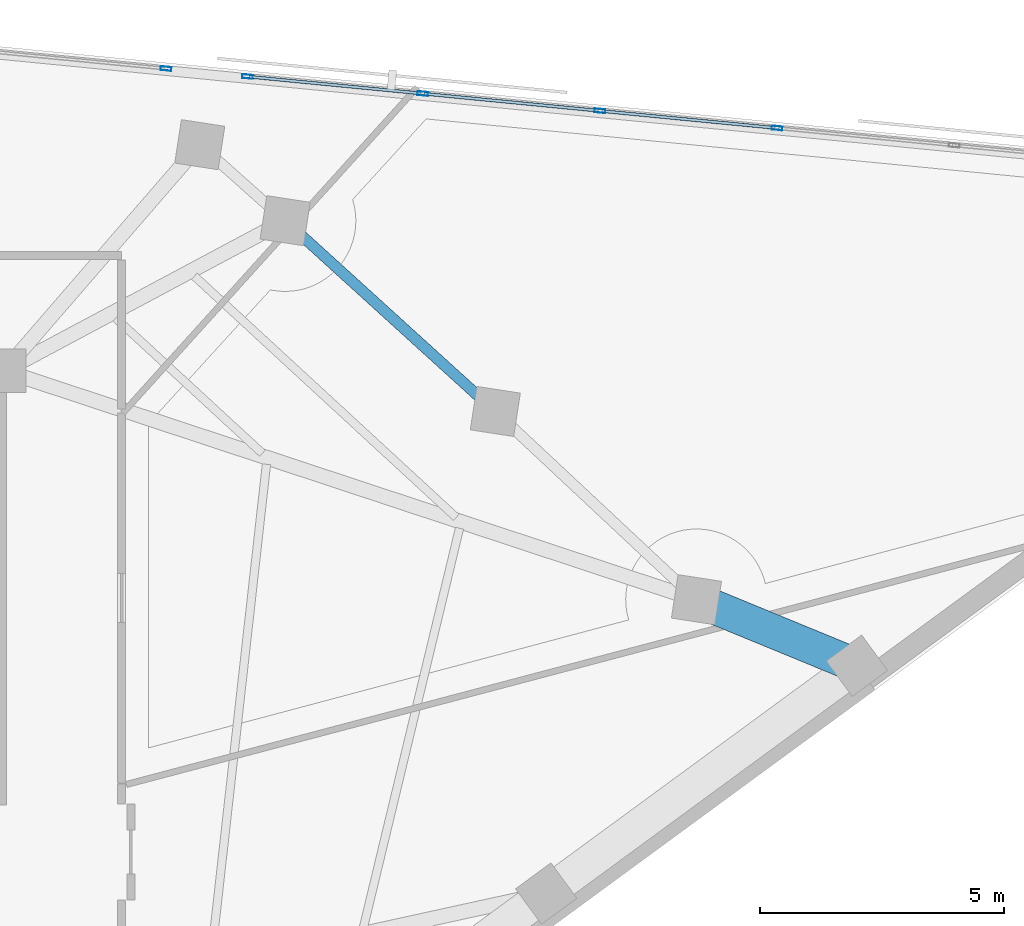
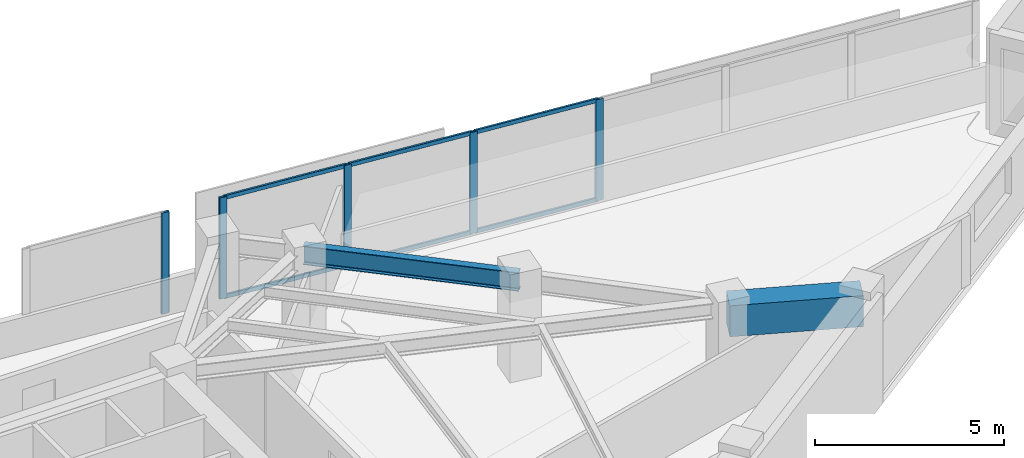
# One storey, part 5 of 13: 11 members, 2 beams, 2 elements without a shape of their own.
"""IFC4 building model written with IfcOpenShell, lengths in metres."""

from ifc_helpers import new_model, si_unit, direction, frame, origin, origin_2d, place, context, subcontext, project, spatial, rectangle, hollow_rectangle, i_section, extrude, material, material_profile, profile_set, type_object, element, aggregate, save


model = new_model("IFC4")

# Units and contexts
model_context = context("Model", 3, precision=1e-05, world=origin(), true_north=direction((0.0, 1.0)))
body_context = subcontext(model_context, "Body", "Model", "MODEL_VIEW")
ifc_project = project(units=[si_unit("LENGTHUNIT", "METRE"), si_unit("AREAUNIT", "SQUARE_METRE"), si_unit("VOLUMEUNIT", "CUBIC_METRE"), si_unit("PLANEANGLEUNIT", "RADIAN"), si_unit("MASSUNIT", "GRAM", prefix="KILO")], contexts=[model_context])

# Site, building, storey
site_placement = place(None, origin())
site = spatial("IfcSite", under=ifc_project, at=site_placement, CompositionType="ELEMENT")
building_placement = place(site_placement, origin())
building = spatial("IfcBuilding", under=site, at=building_placement, Name="Narakoshi Arena Tower", CompositionType="ELEMENT")
storey_placement = place(building_placement, frame((0.0, 0.0, 257.219970703125)))
storey = spatial("IfcBuildingStorey", under=building, at=storey_placement, Name="L70", CompositionType="ELEMENT", Elevation=257.219970703125)

# Beams
ifc_material_1 = material(Name="Concrete C60/75", Category="concrete")
ifc_material_profile_1 = material_profile(ifc_material_1, rectangle(XDim=0.699951171875, YDim=1.0, at=origin_2d()), Name="RCB700x1000")
ifc_profile_set_1 = profile_set([ifc_material_profile_1], Name="Concrete C60/75")
beam_type_1 = type_object("IfcBeamType", Name="BM-CPL-1000", PredefinedType="BEAM", material=ifc_profile_set_1)
beam_1_placement = place(storey_placement, frame((103.032470703125, 50.45361328125, 2.760009765625), z_axis=(-0.924787502584, 0.380484001063, 0.0), x_axis=(-0.380484001063, -0.924787502584, 0.0)))
element("IfcBeam", 1, at=beam_1_placement, inside=storey, type_object=beam_type_1, Name="L70 Perimeter Edge Girder 03", PredefinedType="BEAM", context=body_context, shape_type="SweptSolid", body=[
    extrude(rectangle(XDim=0.699951171875, YDim=1.0, at=origin_2d()), origin(), (0.0, 0.0, 1.0), 3.557373046875),
])
ifc_material_2 = material(Name="Structural steel S355J2", Category="steel")
ifc_material_profile_2 = material_profile(ifc_material_2, i_section(OverallWidth=0.219970703125, OverallDepth=0.60009765625, WebThickness=0.011962890625, FlangeThickness=0.01904296875, FilletRadius=0.02392578125, at=origin_2d()), Name="IPE600")
ifc_profile_set_2 = profile_set([ifc_material_profile_2], Name="Structural steel S355J2")
beam_type_2 = type_object("IfcBeamType", Name="BM-EDGE-600", PredefinedType="BEAM", material=ifc_profile_set_2)
beam_2_placement = place(storey_placement, frame((95.619384765625, 55.665283203125, 2.9599609375), z_axis=(-0.740395559013, 0.672171418757, 0.0), x_axis=(-0.672171418757, -0.740395559013, 0.0)))
element("IfcBeam", 2, at=beam_2_placement, inside=storey, type_object=beam_type_2, Name="L70 Perimeter Edge Girder 05", PredefinedType="BEAM", context=body_context, shape_type="SweptSolid", body=[
    extrude(i_section(OverallWidth=0.219970703125, OverallDepth=0.60009765625, WebThickness=0.011962890625, FlangeThickness=0.01904296875, FilletRadius=0.02392578125, at=origin_2d()), origin(), (0.0, 0.0, 1.0), 5.818603515625),
])

# Curtain wall, members
ifc_material_3 = material(Name="Anodised bronze aluminium 6063-T6", Category="aluminium")
curtain_wall_type = type_object("IfcCurtainWallType", Name="CW-HYP-HIGH", PredefinedType="NOTDEFINED", material=ifc_material_3)
curtain_wall_1_placement = place(storey_placement, origin())
curtain_wall_1 = element("IfcCurtainWall", 3, at=curtain_wall_1_placement, inside=storey, type_object=curtain_wall_type, Name="L70 Folded Hypotenuse Curtain Wall 1-1", PredefinedType="NOTDEFINED")
ifc_material_profile_3 = material_profile(ifc_material_3, hollow_rectangle(XDim=0.080078125, YDim=0.219970703125, WallThickness=0.0048828125, OuterFilletRadius=0.006103515625, at=origin_2d()), Name="MUL220x80x5")
ifc_profile_set_3 = profile_set([ifc_material_profile_3], Name="Anodised bronze aluminium 6063-T6")
member_type_1 = type_object("IfcMemberType", Name="MEM-MUL-220", PredefinedType="MULLION", material=ifc_profile_set_3)
member_1_placement = place(storey_placement, frame((101.3955078125, 61.47509765625, 0.0), z_axis=(0.0, 0.0, 1.0), x_axis=(-0.096851320996, -0.995298860454, 0.0)))
member_1 = element("IfcMember", 4, at=member_1_placement, type_object=member_type_1, Name="CW-03 mullion 4", PredefinedType="MULLION", context=body_context, shape_type="SweptSolid", body=[
    extrude(hollow_rectangle(XDim=0.080078125, YDim=0.219970703125, WallThickness=0.0048828125, OuterFilletRadius=0.006103515625, at=origin_2d()), origin(), (0.0, 0.0, 1.0), 3.260009765625),
])
member_2_placement = place(storey_placement, frame((97.763916015625, 61.828369140625, 0.0), z_axis=(0.0, 0.0, 1.0), x_axis=(-0.096851320996, -0.995298860454, 0.0)))
member_2 = element("IfcMember", 5, at=member_2_placement, type_object=member_type_1, Name="CW-03 mullion 5", PredefinedType="MULLION", context=body_context, shape_type="SweptSolid", body=[
    extrude(hollow_rectangle(XDim=0.080078125, YDim=0.219970703125, WallThickness=0.0048828125, OuterFilletRadius=0.006103515625, at=origin_2d()), origin(), (0.0, 0.0, 1.0), 3.260009765625),
])
member_3_placement = place(storey_placement, frame((94.13232421875, 62.181884765625, 0.0), z_axis=(0.0, 0.0, 1.0), x_axis=(-0.096851320996, -0.995298860454, 0.0)))
member_3 = element("IfcMember", 6, at=member_3_placement, type_object=member_type_1, Name="CW-03 mullion 6", PredefinedType="MULLION", context=body_context, shape_type="SweptSolid", body=[
    extrude(hollow_rectangle(XDim=0.080078125, YDim=0.219970703125, WallThickness=0.0048828125, OuterFilletRadius=0.006103515625, at=origin_2d()), origin(), (0.0, 0.0, 1.0), 3.260009765625),
])
member_4_placement = place(storey_placement, frame((90.54052734375, 62.53125, 0.0), z_axis=(0.0, 0.0, 1.0), x_axis=(-0.096851320996, -0.995298860454, 0.0)))
member_4 = element("IfcMember", 7, at=member_4_placement, type_object=member_type_1, Name="CW-03 mullion 7", PredefinedType="MULLION", context=body_context, shape_type="SweptSolid", body=[
    extrude(hollow_rectangle(XDim=0.080078125, YDim=0.219970703125, WallThickness=0.0048828125, OuterFilletRadius=0.006103515625, at=origin_2d()), origin(), (0.0, 0.0, 1.0), 3.260009765625),
])

# Curtain wall, member
curtain_wall_2_placement = place(storey_placement, origin())
curtain_wall_2 = element("IfcCurtainWall", 8, at=curtain_wall_2_placement, inside=storey, type_object=curtain_wall_type, Name="L70 Folded Hypotenuse Curtain Wall 1-2", PredefinedType="NOTDEFINED")
member_5_placement = place(storey_placement, frame((88.87060546875, 62.69384765625, 0.0), z_axis=(0.0, 0.0, 1.0), x_axis=(-0.096842858471, -0.995299683896, 0.0)))
member_5 = element("IfcMember", 9, at=member_5_placement, type_object=member_type_1, Name="CW-03 mullion 1", PredefinedType="MULLION", context=body_context, shape_type="SweptSolid", body=[
    extrude(hollow_rectangle(XDim=0.080078125, YDim=0.219970703125, WallThickness=0.0048828125, OuterFilletRadius=0.006103515625, at=origin_2d()), origin(), (0.0, 0.0, 1.0), 3.260009765625),
])
aggregate(curtain_wall_2, [member_5])

# Member
ifc_material_profile_4 = material_profile(ifc_material_3, hollow_rectangle(XDim=0.06494140625, YDim=0.1298828125, WallThickness=0.00390625, OuterFilletRadius=0.0048828125, at=origin_2d()), Name="TRN130x65x4")
ifc_profile_set_4 = profile_set([ifc_material_profile_4], Name="Anodised bronze aluminium 6063-T6")
member_type_2 = type_object("IfcMemberType", Name="MEM-TRN-130", PredefinedType="USERDEFINED", material=ifc_profile_set_4)
member_6_placement = place(storey_placement, frame((101.355712890625, 61.47900390625, 0.032470703125), z_axis=(-0.995303775278, 0.096800800194, 0.0), x_axis=(-0.096800800194, -0.995303775278, 0.0)))
member_6 = element("IfcMember", 10, at=member_6_placement, type_object=member_type_2, Name="CW-03 transom 4.1", ObjectType="TRANSOM", PredefinedType="USERDEFINED", context=body_context, shape_type="SweptSolid", body=[
    extrude(hollow_rectangle(XDim=0.06494140625, YDim=0.1298828125, WallThickness=0.00390625, OuterFilletRadius=0.0048828125, at=origin_2d()), origin(), (0.0, 0.0, 1.0), 3.56884765625),
])

member_7_placement = place(storey_placement, frame((101.355712890625, 61.47900390625, 3.2275390625), z_axis=(-0.995303775278, 0.096800800194, 0.0), x_axis=(-0.096800800194, -0.995303775278, 0.0)))
member_7 = element("IfcMember", 11, at=member_7_placement, type_object=member_type_2, Name="CW-03 transom 4.2", ObjectType="TRANSOM", PredefinedType="USERDEFINED", context=body_context, shape_type="SweptSolid", body=[
    extrude(hollow_rectangle(XDim=0.06494140625, YDim=0.1298828125, WallThickness=0.00390625, OuterFilletRadius=0.0048828125, at=origin_2d()), origin(), (0.0, 0.0, 1.0), 3.56884765625),
])

member_8_placement = place(storey_placement, frame((97.72412109375, 61.832275390625, 0.032470703125), z_axis=(-0.995297181926, 0.096868568947, 0.0), x_axis=(-0.096868568947, -0.995297181926, 0.0)))
member_8 = element("IfcMember", 12, at=member_8_placement, type_object=member_type_2, Name="CW-03 transom 5.1", ObjectType="TRANSOM", PredefinedType="USERDEFINED", context=body_context, shape_type="SweptSolid", body=[
    extrude(hollow_rectangle(XDim=0.06494140625, YDim=0.1298828125, WallThickness=0.00390625, OuterFilletRadius=0.0048828125, at=origin_2d()), origin(), (0.0, 0.0, 1.0), 3.56884765625),
])

member_9_placement = place(storey_placement, frame((97.72412109375, 61.832275390625, 3.2275390625), z_axis=(-0.995297181926, 0.096868568947, 0.0), x_axis=(-0.096868568947, -0.995297181926, 0.0)))
member_9 = element("IfcMember", 13, at=member_9_placement, type_object=member_type_2, Name="CW-03 transom 5.2", ObjectType="TRANSOM", PredefinedType="USERDEFINED", context=body_context, shape_type="SweptSolid", body=[
    extrude(hollow_rectangle(XDim=0.06494140625, YDim=0.1298828125, WallThickness=0.00390625, OuterFilletRadius=0.0048828125, at=origin_2d()), origin(), (0.0, 0.0, 1.0), 3.56884765625),
])

member_10_placement = place(storey_placement, frame((94.092529296875, 62.185791015625, 0.032470703125), z_axis=(-0.995304755232, 0.096790723799, 0.0), x_axis=(-0.096790723799, -0.995304755232, 0.0)))
member_10 = element("IfcMember", 14, at=member_10_placement, type_object=member_type_2, Name="CW-03 transom 6.1", ObjectType="TRANSOM", PredefinedType="USERDEFINED", context=body_context, shape_type="SweptSolid", body=[
    extrude(hollow_rectangle(XDim=0.06494140625, YDim=0.1298828125, WallThickness=0.00390625, OuterFilletRadius=0.0048828125, at=origin_2d()), origin(), (0.0, 0.0, 1.0), 3.52880859375),
])

member_11_placement = place(storey_placement, frame((94.092529296875, 62.185791015625, 3.2275390625), z_axis=(-0.995304755232, 0.096790723799, 0.0), x_axis=(-0.096790723799, -0.995304755232, 0.0)))
member_11 = element("IfcMember", 15, at=member_11_placement, type_object=member_type_2, Name="CW-03 transom 6.2", ObjectType="TRANSOM", PredefinedType="USERDEFINED", context=body_context, shape_type="SweptSolid", body=[
    extrude(hollow_rectangle(XDim=0.06494140625, YDim=0.1298828125, WallThickness=0.00390625, OuterFilletRadius=0.0048828125, at=origin_2d()), origin(), (0.0, 0.0, 1.0), 3.52880859375),
])

aggregate(curtain_wall_1, [member_1, member_2, member_3, member_4, member_6, member_7, member_8, member_9, member_10, member_11])

save(model, "model.ifc")
